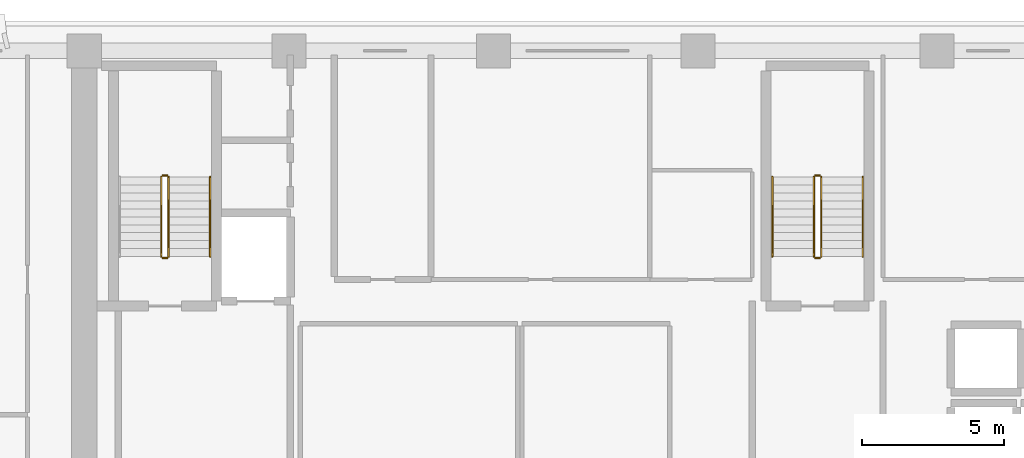
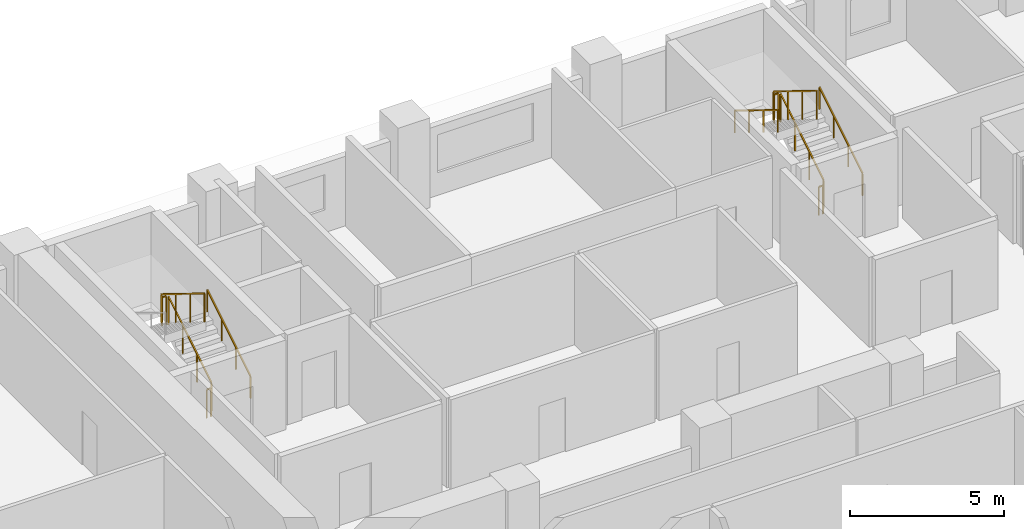
# One storey, part 12 of 14: 11 railings.
"""IFC4 building model written with IfcOpenShell, lengths in metres."""

from ifc_helpers import new_model, si_unit, direction, frame, origin, origin_2d, place, context, subcontext, project, spatial, rectangle, extrude, material, type_object, element, save


model = new_model("IFC4")

# Units and contexts
model_context = context("Model", 3, precision=1e-05, world=origin(), true_north=direction((0.0, 1.0)))
body_context = subcontext(model_context, "Body", "Model", "MODEL_VIEW")
ifc_project = project(units=[si_unit("LENGTHUNIT", "METRE"), si_unit("AREAUNIT", "SQUARE_METRE"), si_unit("VOLUMEUNIT", "CUBIC_METRE"), si_unit("PLANEANGLEUNIT", "RADIAN"), si_unit("MASSUNIT", "GRAM", prefix="KILO")], contexts=[model_context])

# Site, building, storey
site_placement = place(None, origin())
site = spatial("IfcSite", under=ifc_project, at=site_placement, CompositionType="ELEMENT")
building_placement = place(site_placement, origin())
building = spatial("IfcBuilding", under=site, at=building_placement, Name="Kaelvorn Grand Hotel", CompositionType="ELEMENT")
storey_placement = place(building_placement, frame((0.0, 0.0, 216.75)))
storey = spatial("IfcBuildingStorey", under=building, at=storey_placement, Name="L53", CompositionType="ELEMENT", Elevation=216.75)

# Railings
ifc_material = material(Name="Stainless Steel", Category="steel")
railing_type_1 = type_object("IfcRailingType", Name="RL-HANDRAIL-900", PredefinedType="HANDRAIL", material=ifc_material)
for number, where, name in (
    (1, (20.6298828125, 41.760009765625, 0.172607421875), "L53 ST1 stair handrail 1"),
    (2, (43.590087890625, 41.760009765625, 0.172607421875), "L53 ST2 stair handrail 1"),
):
    element("IfcRailing", number, at=place(storey_placement, frame(where)), inside=storey, type_object=railing_type_1, Name=name, PredefinedType="HANDRAIL", context=body_context, shape_type="SweptSolid", body=[
        extrude(rectangle(XDim=0.048095703125, YDim=0.048095703125, at=origin_2d()), frame((0.0, 0.0, 0.8759765625), z_axis=(0.0, 0.851089632645, 0.525020415988), x_axis=(-1.0, 0.0, 0.0)), (0.0, 0.0, 1.0), 3.2900390625),
        extrude(rectangle(XDim=0.0419921875, YDim=0.0419921875, at=origin_2d()), origin(), (0.0, 0.0, 1.0), 0.851806640625),
        extrude(rectangle(XDim=0.0419921875, YDim=0.0419921875, at=origin_2d()), frame((0.0, 0.933349609375, 0.57568359375)), (0.0, 0.0, 1.0), 0.851806640625),
        extrude(rectangle(XDim=0.0419921875, YDim=0.0419921875, at=origin_2d()), frame((0.0, 1.86669921875, 1.151611328125)), (0.0, 0.0, 1.0), 0.851806640625),
        extrude(rectangle(XDim=0.0419921875, YDim=0.0419921875, at=origin_2d()), frame((0.0, 2.800048828125, 1.727294921875)), (0.0, 0.0, 1.0), 0.851806640625),
    ])
railing_1_placement = place(storey_placement, frame((40.409912109375, 44.56005859375, 2.07275390625)))
element("IfcRailing", 3, at=railing_1_placement, inside=storey, type_object=railing_type_1, Name="L53 ST2 stair handrail 2", PredefinedType="HANDRAIL", context=body_context, shape_type="SweptSolid", body=[
    extrude(rectangle(XDim=0.048095703125, YDim=0.048095703125, at=origin_2d()), frame((0.0, 0.0, 0.8759765625), z_axis=(0.0, -0.851089632645, 0.525020415988), x_axis=(1.0, 0.0, 0.0)), (0.0, 0.0, 1.0), 3.2900390625),
    extrude(rectangle(XDim=0.0419921875, YDim=0.0419921875, at=origin_2d()), origin(), (0.0, 0.0, 1.0), 0.851806640625),
    extrude(rectangle(XDim=0.0419921875, YDim=0.0419921875, at=origin_2d()), frame((0.0, -0.933349609375, 0.57568359375)), (0.0, 0.0, 1.0), 0.851806640625),
    extrude(rectangle(XDim=0.0419921875, YDim=0.0419921875, at=origin_2d()), frame((0.0, -1.86669921875, 1.151611328125)), (0.0, 0.0, 1.0), 0.851806640625),
    extrude(rectangle(XDim=0.0419921875, YDim=0.0419921875, at=origin_2d()), frame((0.0, -2.800048828125, 1.727294921875)), (0.0, 0.0, 1.0), 0.851806640625),
])
railing_type_2 = type_object("IfcRailingType", Name="RL-STAIR-GUARD-1150", PredefinedType="BALUSTRADE", material=ifc_material)
railing_2_placement = place(storey_placement, frame((19.169921875, 41.760009765625, 0.172607421875)))
element("IfcRailing", 4, at=railing_2_placement, inside=storey, type_object=railing_type_2, Name="L53 ST1 stair guard 1", PredefinedType="BALUSTRADE", context=body_context, shape_type="SweptSolid", body=[
    extrude(rectangle(XDim=0.048095703125, YDim=0.048095703125, at=origin_2d()), frame((0.0, 0.0, 1.1259765625), z_axis=(0.0, 0.851089632645, 0.525020415988), x_axis=(-1.0, 0.0, 0.0)), (0.0, 0.0, 1.0), 3.2900390625),
    extrude(rectangle(XDim=0.0419921875, YDim=0.0419921875, at=origin_2d()), origin(), (0.0, 0.0, 1.0), 1.101806640625),
    extrude(rectangle(XDim=0.0419921875, YDim=0.0419921875, at=origin_2d()), frame((0.0, 0.933349609375, 0.57568359375)), (0.0, 0.0, 1.0), 1.101806640625),
    extrude(rectangle(XDim=0.0419921875, YDim=0.0419921875, at=origin_2d()), frame((0.0, 1.86669921875, 1.151611328125)), (0.0, 0.0, 1.0), 1.101806640625),
    extrude(rectangle(XDim=0.0419921875, YDim=0.0419921875, at=origin_2d()), frame((0.0, 2.800048828125, 1.727294921875)), (0.0, 0.0, 1.0), 1.101806640625),
])
railing_3_placement = place(storey_placement, frame((19.1201171875, 44.610107421875, 1.89990234375)))
element("IfcRailing", 5, at=railing_3_placement, inside=storey, type_object=railing_type_2, Name="L53 ST1 stair guard 2", PredefinedType="BALUSTRADE", context=body_context, shape_type="SweptSolid", body=[
    extrude(rectangle(XDim=0.048095703125, YDim=0.048095703125, at=origin_2d()), frame((0.0, 0.0, 1.1259765625), z_axis=(-1.0, 0.0, 0.0), x_axis=(0.0, -1.0, 0.0)), (0.0, 0.0, 1.0), 0.16015625),
    extrude(rectangle(XDim=0.0419921875, YDim=0.0419921875, at=origin_2d()), origin(), (0.0, 0.0, 1.0), 1.101806640625),
    extrude(rectangle(XDim=0.0419921875, YDim=0.0419921875, at=origin_2d()), frame((-0.16015625, 0.0, 0.0)), (0.0, 0.0, 1.0), 1.101806640625),
])
railing_4_placement = place(storey_placement, frame((18.909912109375, 44.56005859375, 2.07275390625)))
element("IfcRailing", 6, at=railing_4_placement, inside=storey, type_object=railing_type_2, Name="L53 ST1 stair guard 3", PredefinedType="BALUSTRADE", context=body_context, shape_type="SweptSolid", body=[
    extrude(rectangle(XDim=0.048095703125, YDim=0.048095703125, at=origin_2d()), frame((0.0, 0.0, 1.1259765625), z_axis=(0.0, -0.851089632645, 0.525020415988), x_axis=(1.0, 0.0, 0.0)), (0.0, 0.0, 1.0), 3.2900390625),
    extrude(rectangle(XDim=0.0419921875, YDim=0.0419921875, at=origin_2d()), origin(), (0.0, 0.0, 1.0), 1.101806640625),
    extrude(rectangle(XDim=0.0419921875, YDim=0.0419921875, at=origin_2d()), frame((0.0, -0.933349609375, 0.57568359375)), (0.0, 0.0, 1.0), 1.101806640625),
    extrude(rectangle(XDim=0.0419921875, YDim=0.0419921875, at=origin_2d()), frame((0.0, -1.86669921875, 1.151611328125)), (0.0, 0.0, 1.0), 1.101806640625),
    extrude(rectangle(XDim=0.0419921875, YDim=0.0419921875, at=origin_2d()), frame((0.0, -2.800048828125, 1.727294921875)), (0.0, 0.0, 1.0), 1.101806640625),
])
railing_5_placement = place(storey_placement, frame((19.1201171875, 41.7099609375, 0.0)))
element("IfcRailing", 7, at=railing_5_placement, inside=storey, type_object=railing_type_2, Name="L53 ST1 stair guard 4", PredefinedType="BALUSTRADE", context=body_context, shape_type="SweptSolid", body=[
    extrude(rectangle(XDim=0.048095703125, YDim=0.048095703125, at=origin_2d()), frame((0.0, 0.0, 1.1259765625), z_axis=(-1.0, 0.0, 0.0), x_axis=(0.0, -1.0, 0.0)), (0.0, 0.0, 1.0), 0.16015625),
    extrude(rectangle(XDim=0.0419921875, YDim=0.0419921875, at=origin_2d()), origin(), (0.0, 0.0, 1.0), 1.101806640625),
    extrude(rectangle(XDim=0.0419921875, YDim=0.0419921875, at=origin_2d()), frame((-0.16015625, 0.0, 0.0)), (0.0, 0.0, 1.0), 1.101806640625),
])
railing_6_placement = place(storey_placement, frame((42.1298828125, 41.760009765625, 0.172607421875)))
element("IfcRailing", 8, at=railing_6_placement, inside=storey, type_object=railing_type_2, Name="L53 ST2 stair guard 1", PredefinedType="BALUSTRADE", context=body_context, shape_type="SweptSolid", body=[
    extrude(rectangle(XDim=0.048095703125, YDim=0.048095703125, at=origin_2d()), frame((0.0, 0.0, 1.1259765625), z_axis=(0.0, 0.851089632645, 0.525020415988), x_axis=(-1.0, 0.0, 0.0)), (0.0, 0.0, 1.0), 3.2900390625),
    extrude(rectangle(XDim=0.0419921875, YDim=0.0419921875, at=origin_2d()), origin(), (0.0, 0.0, 1.0), 1.101806640625),
    extrude(rectangle(XDim=0.0419921875, YDim=0.0419921875, at=origin_2d()), frame((0.0, 0.933349609375, 0.57568359375)), (0.0, 0.0, 1.0), 1.101806640625),
    extrude(rectangle(XDim=0.0419921875, YDim=0.0419921875, at=origin_2d()), frame((0.0, 1.86669921875, 1.151611328125)), (0.0, 0.0, 1.0), 1.101806640625),
    extrude(rectangle(XDim=0.0419921875, YDim=0.0419921875, at=origin_2d()), frame((0.0, 2.800048828125, 1.727294921875)), (0.0, 0.0, 1.0), 1.101806640625),
])
railing_7_placement = place(storey_placement, frame((42.080078125, 44.610107421875, 1.89990234375)))
element("IfcRailing", 9, at=railing_7_placement, inside=storey, type_object=railing_type_2, Name="L53 ST2 stair guard 2", PredefinedType="BALUSTRADE", context=body_context, shape_type="SweptSolid", body=[
    extrude(rectangle(XDim=0.048095703125, YDim=0.048095703125, at=origin_2d()), frame((0.0, 0.0, 1.1259765625), z_axis=(-1.0, 0.0, 0.0), x_axis=(0.0, -1.0, 0.0)), (0.0, 0.0, 1.0), 0.16015625),
    extrude(rectangle(XDim=0.0419921875, YDim=0.0419921875, at=origin_2d()), origin(), (0.0, 0.0, 1.0), 1.101806640625),
    extrude(rectangle(XDim=0.0419921875, YDim=0.0419921875, at=origin_2d()), frame((-0.16015625, 0.0, 0.0)), (0.0, 0.0, 1.0), 1.101806640625),
])
railing_8_placement = place(storey_placement, frame((41.8701171875, 44.56005859375, 2.07275390625)))
element("IfcRailing", 10, at=railing_8_placement, inside=storey, type_object=railing_type_2, Name="L53 ST2 stair guard 3", PredefinedType="BALUSTRADE", context=body_context, shape_type="SweptSolid", body=[
    extrude(rectangle(XDim=0.048095703125, YDim=0.048095703125, at=origin_2d()), frame((0.0, 0.0, 1.1259765625), z_axis=(0.0, -0.851089632645, 0.525020415988), x_axis=(1.0, 0.0, 0.0)), (0.0, 0.0, 1.0), 3.2900390625),
    extrude(rectangle(XDim=0.0419921875, YDim=0.0419921875, at=origin_2d()), origin(), (0.0, 0.0, 1.0), 1.101806640625),
    extrude(rectangle(XDim=0.0419921875, YDim=0.0419921875, at=origin_2d()), frame((0.0, -0.933349609375, 0.57568359375)), (0.0, 0.0, 1.0), 1.101806640625),
    extrude(rectangle(XDim=0.0419921875, YDim=0.0419921875, at=origin_2d()), frame((0.0, -1.86669921875, 1.151611328125)), (0.0, 0.0, 1.0), 1.101806640625),
    extrude(rectangle(XDim=0.0419921875, YDim=0.0419921875, at=origin_2d()), frame((0.0, -2.800048828125, 1.727294921875)), (0.0, 0.0, 1.0), 1.101806640625),
])
railing_9_placement = place(storey_placement, frame((42.080078125, 41.7099609375, 0.0)))
element("IfcRailing", 11, at=railing_9_placement, inside=storey, type_object=railing_type_2, Name="L53 ST2 stair guard 4", PredefinedType="BALUSTRADE", context=body_context, shape_type="SweptSolid", body=[
    extrude(rectangle(XDim=0.048095703125, YDim=0.048095703125, at=origin_2d()), frame((0.0, 0.0, 1.1259765625), z_axis=(-1.0, 0.0, 0.0), x_axis=(0.0, -1.0, 0.0)), (0.0, 0.0, 1.0), 0.16015625),
    extrude(rectangle(XDim=0.0419921875, YDim=0.0419921875, at=origin_2d()), origin(), (0.0, 0.0, 1.0), 1.101806640625),
    extrude(rectangle(XDim=0.0419921875, YDim=0.0419921875, at=origin_2d()), frame((-0.16015625, 0.0, 0.0)), (0.0, 0.0, 1.0), 1.101806640625),
])

save(model, "model.ifc")
